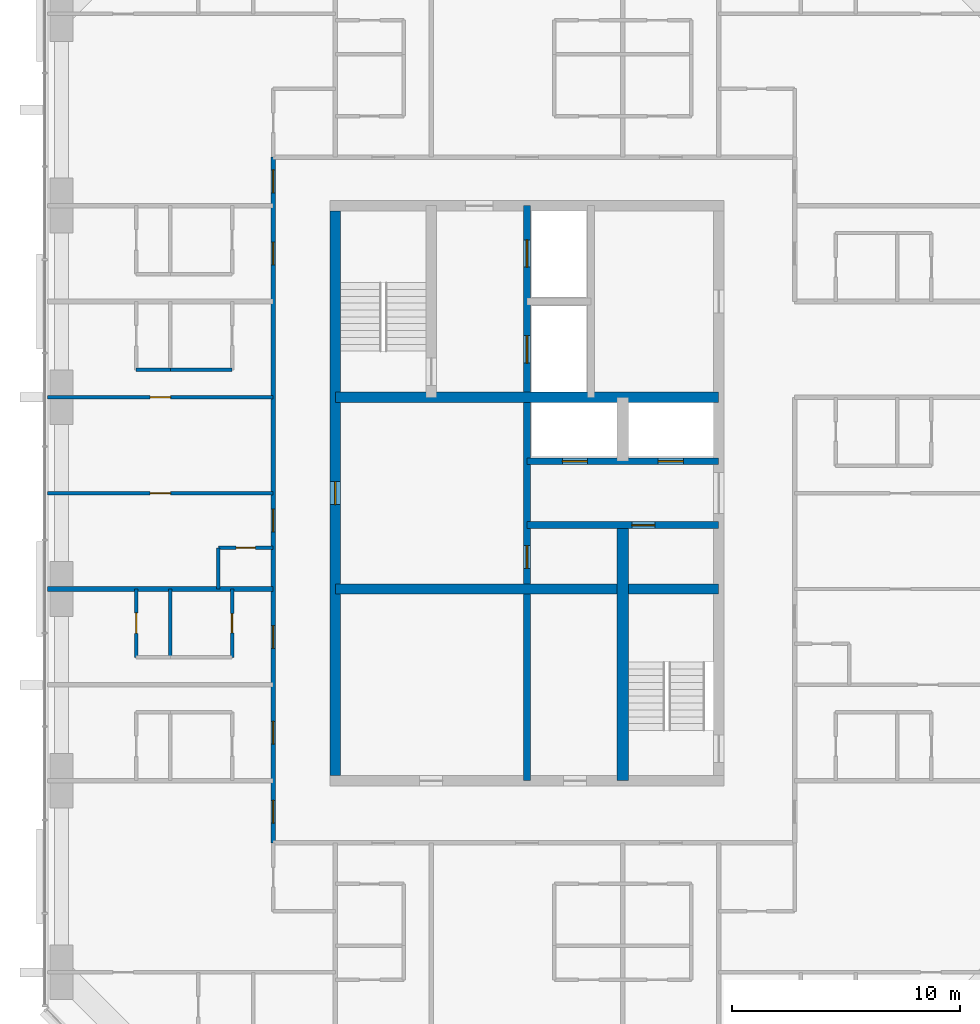
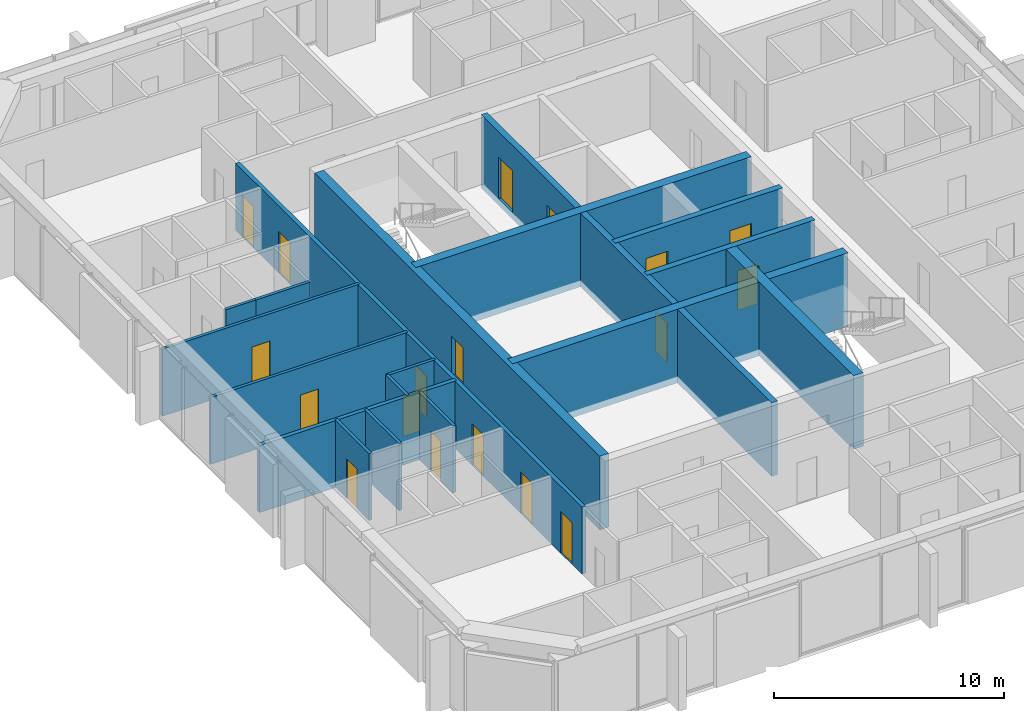
# One storey, part 8 of 12: 18 doors, 18 walls, 18 openings.
"""IFC4 building model written with IfcOpenShell, lengths in metres."""

import ifcopenshell
import ifcopenshell.guid

model = None  # the IFC model being written
_history = None  # IfcOwnerHistory: only IFC2X3 demands one
_inside = {}  # id of a spatial element -> (the spatial element, [elements in it])
_under = {}  # id of a project, library or spatial element -> (it, [spatial elements below it])
_declared = {}  # id of a project -> (the project, [libraries it declares])
_typed = {}  # id of a type object -> (the type object, [elements of that type])
_made_of = {}  # id of a material, layer set ... -> (it, [elements and type objects made of it])


def new_model(schema):
    """Start an empty IFC model of exactly this schema.

    Asked for "IFC4X3", IfcOpenShell would pick the latest addendum, in which some entities
    have other attributes; the version numbers below select the first issue.
    IFC2X3 requires an IfcOwnerHistory on every rooted entity: one is made here for all.
    """
    global model, _history
    if schema == "IFC4X3":
        model = ifcopenshell.file(schema_version=(4, 3, 0, 0))
    else:
        model = ifcopenshell.file(schema=schema)
    _inside.clear()
    _under.clear()
    _declared.clear()
    _typed.clear()
    _made_of.clear()
    _history = None
    if model.schema == "IFC2X3":
        org = make("IfcOrganization", Name="unknown")
        user = make(
            "IfcPersonAndOrganization",
            ThePerson=make("IfcPerson", FamilyName="unknown"),
            TheOrganization=org,
        )
        app = make(
            "IfcApplication",
            ApplicationDeveloper=org,
            Version="unknown",
            ApplicationFullName="unknown",
            ApplicationIdentifier="unknown",
        )
        _history = make(
            "IfcOwnerHistory",
            OwningUser=user,
            OwningApplication=app,
            ChangeAction="ADDED",
            CreationDate=0,
        )
    return model


def make(cls, **values):
    """One entity of the class cls with the attributes given. An attribute that is None is left unset."""
    return model.create_entity(
        cls, **{name: value for name, value in values.items() if value is not None}
    )


def rooted(cls, **values):
    """An entity with a GlobalId (a new one), such as an element, a storey or a relation."""
    return make(cls, GlobalId=ifcopenshell.guid.new(), OwnerHistory=_history, **values)


def si_unit(unit_type, name, prefix=None):
    """IfcSIUnit, for example si_unit("LENGTHUNIT", "METRE", prefix="MILLI")."""
    return make("IfcSIUnit", UnitType=unit_type, Prefix=prefix, Name=name)


def assignment(units):
    """IfcUnitAssignment: the units of a project."""
    return None if units is None else make("IfcUnitAssignment", Units=units)


def point(xyz):
    """IfcCartesianPoint."""
    return None if xyz is None else make("IfcCartesianPoint", Coordinates=xyz)


def direction(xyz):
    """IfcDirection."""
    return None if xyz is None else make("IfcDirection", DirectionRatios=xyz)


def frame(location, z_axis=None, x_axis=None):
    """IfcAxis2Placement3D, a coordinate frame: its origin and axes. An axis left out is left unset."""
    return make(
        "IfcAxis2Placement3D",
        Location=point(location),
        Axis=direction(z_axis),
        RefDirection=direction(x_axis),
    )


def frame_2d(location, x_axis=None):
    """IfcAxis2Placement2D, a coordinate frame in the plane: its origin and x axis."""
    return make(
        "IfcAxis2Placement2D", Location=point(location), RefDirection=direction(x_axis)
    )


def origin():
    """The frame at (0, 0, 0) with its axes left unset."""
    return frame((0.0, 0.0, 0.0))


def place(relative_to, where):
    """IfcLocalPlacement: puts the frame where relative to a parent placement (None: the world)."""
    return make(
        "IfcLocalPlacement", PlacementRelTo=relative_to, RelativePlacement=where
    )


def context(
    kind, dimensions, precision=None, world=None, true_north=None, identifier=None
):
    """IfcGeometricRepresentationContext, for example the 3D "Model" context."""
    return make(
        "IfcGeometricRepresentationContext",
        ContextIdentifier=identifier,
        ContextType=kind,
        CoordinateSpaceDimension=dimensions,
        Precision=precision,
        WorldCoordinateSystem=world,
        TrueNorth=true_north,
    )


def subcontext(parent, identifier, kind, view, scale=None):
    """IfcGeometricRepresentationSubContext, for example "Body" below "Model"."""
    return make(
        "IfcGeometricRepresentationSubContext",
        ContextIdentifier=identifier,
        ContextType=kind,
        ParentContext=parent,
        TargetScale=scale,
        TargetView=view,
    )


def project(units=None, contexts=None):
    """IfcProject with its units and contexts."""
    return rooted(
        "IfcProject",
        Name="project",
        RepresentationContexts=contexts,
        UnitsInContext=assignment(units),
    )


def spatial(cls, under=None, at=None, **own):
    """A site, building, storey or space (cls), placed at a placement, below another one or the project."""
    s = rooted(cls, ObjectPlacement=at, **own)
    if under is not None:
        _under.setdefault(under.id(), (under, []))[1].append(s)
    return s


def profile(cls, at=None, kind="AREA", **sizes):
    """A parametric profile (cls). Its sizes go by their IFC names, for example OverallWidth=200.0."""
    return make(cls, ProfileType=kind, Position=at, **sizes)


def rectangle(**sizes):
    """IfcRectangleProfileDef."""
    return profile("IfcRectangleProfileDef", **sizes)


def extrude(swept, where, along, depth):
    """IfcExtrudedAreaSolid: the profile swept, set in the frame where, extruded along a direction by depth."""
    return make(
        "IfcExtrudedAreaSolid",
        SweptArea=swept,
        Position=where,
        ExtrudedDirection=direction(along),
        Depth=depth,
    )


def shape(context_of_items, identifier, shape_type, items):
    """IfcShapeRepresentation: the items that make up one representation, for example the "Body"."""
    return make(
        "IfcShapeRepresentation",
        ContextOfItems=context_of_items,
        RepresentationIdentifier=identifier,
        RepresentationType=shape_type,
        Items=items,
    )


def material(Name=None, Category=None):
    """IfcMaterial."""
    return make("IfcMaterial", Name=Name, Category=Category)


def layer(
    of_material, thickness, ventilated=None, Name=None, Category=None, Priority=None
):
    """IfcMaterialLayer: one layer of a wall or slab, of a material (None: an air gap)."""
    return make(
        "IfcMaterialLayer",
        Material=of_material,
        LayerThickness=thickness,
        IsVentilated=ventilated,
        Name=Name,
        Category=Category,
        Priority=Priority,
    )


def layer_set(layers, Name=None):
    """IfcMaterialLayerSet."""
    return make("IfcMaterialLayerSet", MaterialLayers=layers, LayerSetName=Name)


def made_of(thing, what):
    """Note that an element or type object is made of a material, layer set ...; save() writes the relation."""
    if what is not None:
        _made_of.setdefault(what.id(), (what, []))[1].append(thing)
    return thing


def type_object(cls, material=None, **own):
    """A type object (cls), such as IfcWallType, which elements share."""
    return made_of(rooted(cls, **own), material)


def element(
    cls,
    number,
    at=None,
    inside=None,
    cuts=None,
    type_object=None,
    material=None,
    context=None,
    identifier="Body",
    shape_type=None,
    held_by="IfcProductDefinitionShape",
    body=None,
    shapes=None,
    **own,
):
    """One element of the class cls, such as IfcWall. Its Tag is "e" and its number.

    at: its placement. inside: the storey or other place that contains it. cuts: it is an
    opening in that element (IfcRelVoidsElement). A single representation is given by context,
    identifier, shape_type and body (its items); several are given by shapes. held_by: the class
    of the entity that holds the representations. save() writes the other relations.
    """
    e = rooted(cls, Tag="e%d" % number, ObjectPlacement=at, **own)
    if body is not None:
        shapes = [shape(context, identifier, shape_type, body)]
    if shapes is not None:
        e.Representation = make(held_by, Representations=shapes)
    if inside is not None:
        _inside.setdefault(inside.id(), (inside, []))[1].append(e)
    if cuts is not None:
        rooted(
            "IfcRelVoidsElement", RelatingBuildingElement=cuts, RelatedOpeningElement=e
        )
    if type_object is not None:
        _typed.setdefault(type_object.id(), (type_object, []))[1].append(e)
    return made_of(e, material)


def fill(opening, filler):
    """IfcRelFillsElement: the door or window that sits in an opening."""
    return rooted(
        "IfcRelFillsElement",
        RelatingOpeningElement=opening,
        RelatedBuildingElement=filler,
    )


def aggregate(whole, parts):
    """IfcRelAggregates: a whole, such as a stair, and the parts it consists of."""
    return rooted("IfcRelAggregates", RelatingObject=whole, RelatedObjects=parts)


def save(model, path):
    """Write the relations noted so far, then the file.

    IfcRelAggregates (storeys below a building ...), IfcRelContainedInSpatialStructure (elements
    in a storey), IfcRelDefinesByType, IfcRelAssociatesMaterial and IfcRelDeclares: one each for
    every whole, place, type object, material and project.
    """
    for whole, parts in _under.values():
        aggregate(whole, parts)
    for where, things in _inside.values():
        rooted(
            "IfcRelContainedInSpatialStructure",
            RelatedElements=things,
            RelatingStructure=where,
        )
    for kind, things in _typed.values():
        rooted("IfcRelDefinesByType", RelatedObjects=things, RelatingType=kind)
    for what, things in _made_of.values():
        rooted("IfcRelAssociatesMaterial", RelatedObjects=things, RelatingMaterial=what)
    for by, libraries in _declared.values():
        rooted("IfcRelDeclares", RelatingContext=by, RelatedDefinitions=libraries)
    model.write(path)


model = new_model("IFC4")

# Units and contexts
model_context = context("Model", 3, precision=1e-05, world=origin(), true_north=direction((0.0, 1.0)))
body_context = subcontext(model_context, "Body", "Model", "MODEL_VIEW")
ifc_project = project(units=[si_unit("LENGTHUNIT", "METRE"), si_unit("AREAUNIT", "SQUARE_METRE"), si_unit("VOLUMEUNIT", "CUBIC_METRE"), si_unit("PLANEANGLEUNIT", "RADIAN"), si_unit("MASSUNIT", "GRAM", prefix="KILO")], contexts=[model_context])

# Site, building, storey
site_placement = place(None, origin())
site = spatial("IfcSite", under=ifc_project, at=site_placement, CompositionType="ELEMENT")
building_placement = place(site_placement, origin())
building = spatial("IfcBuilding", under=site, at=building_placement, Name="Dunama Terrace Hotel", CompositionType="ELEMENT")
storey_placement = place(building_placement, frame((0.0, 0.0, 268.5)))
storey = spatial("IfcBuildingStorey", under=building, at=storey_placement, Name="L69", CompositionType="ELEMENT", Elevation=268.5)

# Wall
ifc_material_1 = material(Name="Gypsum board partition", Category="masonry")
ifc_layer_1 = layer(ifc_material_1, 0.14990234375)
ifc_layer_set_1 = layer_set([ifc_layer_1], Name="Bathroom partition 150")
wall_type_1 = type_object("IfcWallType", Name="Bathroom partition 150", PredefinedType="PARTITIONING", material=ifc_layer_set_1)
wall_1_placement = place(storey_placement, frame((20.074951171875, 25.199951171875, 0.0), z_axis=(0.0, 0.0, 1.0), x_axis=(0.0, 1.0, 0.0)))
element("IfcWall", 1, at=wall_1_placement, inside=storey, type_object=wall_type_1, Name="Bathroom partition 150 L69", PredefinedType="PARTITIONING", context=body_context, shape_type="SweptSolid", body=[
    extrude(rectangle(XDim=1.800048828125, YDim=0.14990234375, at=frame_2d((0.89990234375, 0.0))), origin(), (0.0, 0.0, 1.0), 3.550048828125),
])

# Wall, opening, door
wall_2_placement = place(storey_placement, frame((20.675048828125, 22.199951171875, 0.0), z_axis=(0.0, 0.0, 1.0), x_axis=(0.0, 1.0, 0.0)))
wall_2 = element("IfcWall", 2, at=wall_2_placement, inside=storey, type_object=wall_type_1, Name="Bathroom partition 150 L69", PredefinedType="PARTITIONING", context=body_context, shape_type="SweptSolid", body=[
    extrude(rectangle(XDim=3.0, YDim=0.14990234375, at=frame_2d((1.5, 0.0))), origin(), (0.0, 0.0, 1.0), 3.550048828125),
])
opening_1_placement = place(wall_2_placement, frame((1.074951171875, 0.0, 0.0)))
opening_1 = element("IfcOpeningElement", 3, at=opening_1_placement, cuts=wall_2, Name="Opening L68-70-041", PredefinedType="OPENING", context=body_context, shape_type="SweptSolid", body=[
    extrude(rectangle(XDim=0.85009765625, YDim=2.10009765625, at=frame_2d((0.425048828125, 1.050048828125))), frame((0.0, 0.0849609375, 0.0), z_axis=(0.0, -1.0, 0.0), x_axis=(1.0, 0.0, 0.0)), (0.0, 0.0, 1.0), 0.169921875),
])
ifc_material_2 = material(Name="Timber door with steel frame", Category="steel")
door_type_1 = type_object("IfcDoorType", Name="Bathroom door 850", OperationType="SINGLE_SWING_LEFT", PredefinedType="DOOR", material=ifc_material_2)
door_1_placement = place(opening_1_placement, origin())
door_1 = element("IfcDoor", 4, at=door_1_placement, inside=storey, type_object=door_type_1, Name="Door to en-suite bathroom L68-70-041, type D2", OperationType="SINGLE_SWING_RIGHT", OverallHeight=2.10009765625, OverallWidth=0.85009765625, PredefinedType="DOOR", context=body_context, shape_type="SweptSolid", body=[
    extrude(rectangle(XDim=0.85009765625, YDim=2.10009765625, at=frame_2d((0.425048828125, 1.050048828125))), frame((0.0, 0.02490234375, 0.0), z_axis=(0.0, -1.0, 0.0), x_axis=(1.0, 0.0, 0.0)), (0.0, 0.0, 1.0), 0.050048828125),
])
fill(opening_1, door_1)

wall_3_placement = place(storey_placement, frame((20.074951171875, 27.0, 0.0), z_axis=(0.0, 0.0, 1.0), x_axis=(1.0, 0.0, 0.0)))
wall_3 = element("IfcWall", 5, at=wall_3_placement, inside=storey, type_object=wall_type_1, Name="Bathroom partition 150 L69", PredefinedType="PARTITIONING", context=body_context, shape_type="SweptSolid", body=[
    extrude(rectangle(XDim=2.400146484375, YDim=0.14990234375, at=frame_2d((1.2001953125, 0.0))), origin(), (0.0, 0.0, 1.0), 3.550048828125),
])
opening_2_placement = place(wall_3_placement, frame((0.77490234375, 0.0, 0.0)))
opening_2 = element("IfcOpeningElement", 6, at=opening_2_placement, cuts=wall_3, Name="Opening L68-70-044", PredefinedType="OPENING", context=body_context, shape_type="SweptSolid", body=[
    extrude(rectangle(XDim=0.85009765625, YDim=2.10009765625, at=frame_2d((0.425048828125, 1.050048828125))), frame((0.0, 0.0849609375, 0.0), z_axis=(0.0, -1.0, 0.0), x_axis=(1.0, 0.0, 0.0)), (0.0, 0.0, 1.0), 0.169921875),
])
door_2_placement = place(opening_2_placement, frame((0.85009765625, 0.0, 0.0), z_axis=(0.0, 0.0, 1.0), x_axis=(-1.0, 0.0, 0.0)))
door_2 = element("IfcDoor", 7, at=door_2_placement, inside=storey, type_object=door_type_1, Name="Door to powder room L68-70-044, type D2", OperationType="SINGLE_SWING_LEFT", OverallHeight=2.10009765625, OverallWidth=0.85009765625, PredefinedType="DOOR", context=body_context, shape_type="SweptSolid", body=[
    extrude(rectangle(XDim=0.85009765625, YDim=2.10009765625, at=frame_2d((0.425048828125, 1.050048828125))), frame((0.0, 0.025146484375, 0.0), z_axis=(0.0, -1.0, 0.0), x_axis=(1.0, 0.0, 0.0)), (0.0, 0.0, 1.0), 0.050048828125),
])
fill(opening_2, door_2)

# Wall
wall_4_placement = place(storey_placement, frame((17.97509765625, 34.800048828125, 0.0), z_axis=(0.0, 0.0, 1.0), x_axis=(1.0, 0.0, 0.0)))
element("IfcWall", 8, at=wall_4_placement, inside=storey, type_object=wall_type_1, Name="Bathroom partition 150 L69", PredefinedType="PARTITIONING", context=body_context, shape_type="SweptSolid", body=[
    extrude(rectangle(XDim=2.699951171875, YDim=0.14990234375, at=frame_2d((1.35009765625, 0.0))), origin(), (0.0, 0.0, 1.0), 3.550048828125),
])

# Wall, openings, doors
ifc_material_3 = material(Name="Concrete C50/60", Category="concrete")
ifc_layer_2 = layer(ifc_material_3, 0.300048828125)
ifc_layer_set_2 = layer_set([ifc_layer_2], Name="Core inner wall 300")
wall_type_2 = type_object("IfcWallType", Name="Core inner wall 300", PredefinedType="SHEAR", material=ifc_layer_set_2)
wall_5_placement = place(storey_placement, frame((33.60009765625, 16.800048828125, -0.35009765625), z_axis=(0.0, 0.0, 1.0), x_axis=(0.0, 1.0, 0.0)))
wall_5 = element("IfcWall", 9, at=wall_5_placement, inside=storey, type_object=wall_type_2, Name="Core inner wall 300 L69", PredefinedType="SHEAR", context=body_context, shape_type="SweptSolid", body=[
    extrude(rectangle(XDim=25.199951171875, YDim=0.300048828125, at=frame_2d((12.60009765625, 0.0))), origin(), (0.0, 0.0, 1.0), 3.900146484375),
])
opening_3_placement = place(wall_5_placement, frame((22.5, 0.0, 0.35009765625)))
opening_3 = element("IfcOpeningElement", 10, at=opening_3_placement, cuts=wall_5, Name="Opening L68-70-005", PredefinedType="OPENING", context=body_context, shape_type="SweptSolid", body=[
    extrude(rectangle(XDim=1.199951171875, YDim=2.199951171875, at=frame_2d((0.60009765625, 1.10009765625))), frame((0.0, 0.159912109375, 0.0), z_axis=(0.0, -1.0, 0.0), x_axis=(1.0, 0.0, 0.0)), (0.0, 0.0, 1.0), 0.320068359375),
])
opening_4_placement = place(wall_5_placement, frame((18.300048828125, 0.0, 0.35009765625)))
opening_4 = element("IfcOpeningElement", 11, at=opening_4_placement, cuts=wall_5, Name="Opening L68-70-006", PredefinedType="OPENING", context=body_context, shape_type="SweptSolid", body=[
    extrude(rectangle(XDim=1.199951171875, YDim=2.199951171875, at=frame_2d((0.60009765625, 1.10009765625))), frame((0.0, 0.159912109375, 0.0), z_axis=(0.0, -1.0, 0.0), x_axis=(1.0, 0.0, 0.0)), (0.0, 0.0, 1.0), 0.320068359375),
])
opening_5_placement = place(wall_5_placement, frame((9.300048828125, 0.0, 0.35009765625)))
opening_5 = element("IfcOpeningElement", 12, at=opening_5_placement, cuts=wall_5, Name="Opening L68-70-073", PredefinedType="OPENING", context=body_context, shape_type="SweptSolid", body=[
    extrude(rectangle(XDim=1.0, YDim=2.10009765625, at=frame_2d((0.5, 1.050048828125))), frame((0.0, 0.159912109375, 0.0), z_axis=(0.0, -1.0, 0.0), x_axis=(1.0, 0.0, 0.0)), (0.0, 0.0, 1.0), 0.320068359375),
])
ifc_material_4 = material(Name="Stainless steel lift door", Category="steel")
door_type_2 = type_object("IfcDoorType", Name="Firefighting lift landing door 1200", OperationType="DOUBLE_DOOR_SLIDING", PredefinedType="DOOR", material=ifc_material_4)
door_3_placement = place(opening_3_placement, origin())
door_3 = element("IfcDoor", 13, at=door_3_placement, inside=storey, type_object=door_type_2, Name="Landing door FL1 L68-70-005, type LD2", OperationType="DOUBLE_DOOR_SLIDING", OverallHeight=2.199951171875, OverallWidth=1.199951171875, PredefinedType="DOOR", context=body_context, shape_type="SweptSolid", body=[
    extrude(rectangle(XDim=1.199951171875, YDim=2.199951171875, at=frame_2d((0.60009765625, 1.10009765625))), frame((0.0, 0.02490234375, 0.0), z_axis=(0.0, -1.0, 0.0), x_axis=(1.0, 0.0, 0.0)), (0.0, 0.0, 1.0), 0.050048828125),
])
fill(opening_3, door_3)
door_4_placement = place(opening_4_placement, origin())
door_4 = element("IfcDoor", 14, at=door_4_placement, inside=storey, type_object=door_type_2, Name="Landing door FL2 L68-70-006, type LD2", OperationType="DOUBLE_DOOR_SLIDING", OverallHeight=2.199951171875, OverallWidth=1.199951171875, PredefinedType="DOOR", context=body_context, shape_type="SweptSolid", body=[
    extrude(rectangle(XDim=1.199951171875, YDim=2.199951171875, at=frame_2d((0.60009765625, 1.10009765625))), frame((0.0, 0.02490234375, 0.0), z_axis=(0.0, -1.0, 0.0), x_axis=(1.0, 0.0, 0.0)), (0.0, 0.0, 1.0), 0.050048828125),
])
fill(opening_4, door_4)
ifc_material_5 = material(Name="Timber door with steel frame", Category="steel")
door_type_3 = type_object("IfcDoorType", Name="Service door 1000", OperationType="SINGLE_SWING_LEFT", PredefinedType="DOOR", material=ifc_material_5)
door_5_placement = place(opening_5_placement, frame((1.0, 0.0, 0.0), z_axis=(0.0, 0.0, 1.0), x_axis=(-1.0, 0.0, 0.0)))
door_5 = element("IfcDoor", 15, at=door_5_placement, inside=storey, type_object=door_type_3, Name="Door to service riser L68-70-073, type D7", OperationType="SINGLE_SWING_RIGHT", OverallHeight=2.10009765625, OverallWidth=1.0, PredefinedType="DOOR", context=body_context, shape_type="SweptSolid", body=[
    extrude(rectangle(XDim=1.0, YDim=2.10009765625, at=frame_2d((0.5, 1.050048828125))), frame((0.0, 0.025146484375, 0.0), z_axis=(0.0, -1.0, 0.0), x_axis=(1.0, 0.0, 0.0)), (0.0, 0.0, 1.0), 0.050048828125),
])
fill(opening_5, door_5)

# Wall, opening, door
wall_6_placement = place(storey_placement, frame((33.60009765625, 28.0, -0.35009765625), z_axis=(0.0, 0.0, 1.0), x_axis=(1.0, 0.0, 0.0)))
wall_6 = element("IfcWall", 16, at=wall_6_placement, inside=storey, type_object=wall_type_2, Name="Core inner wall 300 L69", PredefinedType="SHEAR", context=body_context, shape_type="SweptSolid", body=[
    extrude(rectangle(XDim=8.39990234375, YDim=0.300048828125, at=frame_2d((4.199951171875, 0.0))), origin(), (0.0, 0.0, 1.0), 3.900146484375),
])
opening_6_placement = place(wall_6_placement, frame((4.60009765625, 0.0, 0.35009765625)))
opening_6 = element("IfcOpeningElement", 17, at=opening_6_placement, cuts=wall_6, Name="Opening L68-70-074", PredefinedType="OPENING", context=body_context, shape_type="SweptSolid", body=[
    extrude(rectangle(XDim=1.0, YDim=2.10009765625, at=frame_2d((0.5, 1.050048828125))), frame((0.0, 0.159912109375, 0.0), z_axis=(0.0, -1.0, 0.0), x_axis=(1.0, 0.0, 0.0)), (0.0, 0.0, 1.0), 0.320068359375),
])
door_6_placement = place(opening_6_placement, frame((1.0, 0.0, 0.0), z_axis=(0.0, 0.0, 1.0), x_axis=(-1.0, 0.0, 0.0)))
door_6 = element("IfcDoor", 18, at=door_6_placement, inside=storey, type_object=door_type_3, Name="Door to guest pantry L68-70-074, type D7", OperationType="SINGLE_SWING_RIGHT", OverallHeight=2.10009765625, OverallWidth=1.0, PredefinedType="DOOR", context=body_context, shape_type="SweptSolid", body=[
    extrude(rectangle(XDim=1.0, YDim=2.10009765625, at=frame_2d((0.5, 1.050048828125))), frame((0.0, 0.025146484375, 0.0), z_axis=(0.0, -1.0, 0.0), x_axis=(1.0, 0.0, 0.0)), (0.0, 0.0, 1.0), 0.050048828125),
])
fill(opening_6, door_6)

# Wall, openings, doors
wall_7_placement = place(storey_placement, frame((33.60009765625, 30.800048828125, -0.35009765625), z_axis=(0.0, 0.0, 1.0), x_axis=(1.0, 0.0, 0.0)))
wall_7 = element("IfcWall", 19, at=wall_7_placement, inside=storey, type_object=wall_type_2, Name="Core inner wall 300 L69", PredefinedType="SHEAR", context=body_context, shape_type="SweptSolid", body=[
    extrude(rectangle(XDim=8.39990234375, YDim=0.300048828125, at=frame_2d((4.199951171875, 0.0))), origin(), (0.0, 0.0, 1.0), 3.900146484375),
])
opening_7_placement = place(wall_7_placement, frame((1.550048828125, 0.0, 0.35009765625)))
opening_7 = element("IfcOpeningElement", 20, at=opening_7_placement, cuts=wall_7, Name="Opening L68-70-003", PredefinedType="OPENING", context=body_context, shape_type="SweptSolid", body=[
    extrude(rectangle(XDim=1.10009765625, YDim=2.199951171875, at=frame_2d((0.550048828125, 1.10009765625))), frame((0.0, 0.159912109375, 0.0), z_axis=(0.0, -1.0, 0.0), x_axis=(1.0, 0.0, 0.0)), (0.0, 0.0, 1.0), 0.320068359375),
])
opening_8_placement = place(wall_7_placement, frame((5.75, 0.0, 0.35009765625)))
opening_8 = element("IfcOpeningElement", 21, at=opening_8_placement, cuts=wall_7, Name="Opening L68-70-004", PredefinedType="OPENING", context=body_context, shape_type="SweptSolid", body=[
    extrude(rectangle(XDim=1.10009765625, YDim=2.199951171875, at=frame_2d((0.550048828125, 1.10009765625))), frame((0.0, 0.159912109375, 0.0), z_axis=(0.0, -1.0, 0.0), x_axis=(1.0, 0.0, 0.0)), (0.0, 0.0, 1.0), 0.320068359375),
])
ifc_material_6 = material(Name="Stainless steel lift door", Category="steel")
door_type_4 = type_object("IfcDoorType", Name="Lift landing door 1100", OperationType="DOUBLE_DOOR_SLIDING", PredefinedType="DOOR", material=ifc_material_6)
door_7_placement = place(opening_7_placement, origin())
door_7 = element("IfcDoor", 22, at=door_7_placement, inside=storey, type_object=door_type_4, Name="Landing door PD1 L68-70-003, type LD1", OperationType="DOUBLE_DOOR_SLIDING", OverallHeight=2.199951171875, OverallWidth=1.10009765625, PredefinedType="DOOR", context=body_context, shape_type="SweptSolid", body=[
    extrude(rectangle(XDim=1.10009765625, YDim=2.199951171875, at=frame_2d((0.550048828125, 1.10009765625))), frame((0.0, 0.02490234375, 0.0), z_axis=(0.0, -1.0, 0.0), x_axis=(1.0, 0.0, 0.0)), (0.0, 0.0, 1.0), 0.050048828125),
])
fill(opening_7, door_7)
door_8_placement = place(opening_8_placement, origin())
door_8 = element("IfcDoor", 23, at=door_8_placement, inside=storey, type_object=door_type_4, Name="Landing door PD2 L68-70-004, type LD1", OperationType="DOUBLE_DOOR_SLIDING", OverallHeight=2.199951171875, OverallWidth=1.10009765625, PredefinedType="DOOR", context=body_context, shape_type="SweptSolid", body=[
    extrude(rectangle(XDim=1.10009765625, YDim=2.199951171875, at=frame_2d((0.550048828125, 1.10009765625))), frame((0.0, 0.02490234375, 0.0), z_axis=(0.0, -1.0, 0.0), x_axis=(1.0, 0.0, 0.0)), (0.0, 0.0, 1.0), 0.050048828125),
])
fill(opening_8, door_8)

# Walls
ifc_material_7 = material(Name="Concrete C50/60", Category="concrete")
ifc_layer_3 = layer(ifc_material_7, 0.449951171875)
ifc_layer_set_3 = layer_set([ifc_layer_3], Name="Core inner wall 450")
wall_type_3 = type_object("IfcWallType", Name="Core inner wall 450", PredefinedType="SHEAR", material=ifc_layer_set_3)
for number, where, z_axis, x_axis, name in (
    (24, (25.199951171875, 25.199951171875, -0.35009765625), (0.0, 0.0, 1.0), (1.0, 0.0, 0.0), "Core inner wall 450 L69"),
    (25, (25.199951171875, 33.60009765625, -0.35009765625), (0.0, 0.0, 1.0), (1.0, 0.0, 0.0), "Core inner wall 450 L69"),
):
    element("IfcWall", number, at=place(storey_placement, frame(where, z_axis=z_axis, x_axis=x_axis)), inside=storey, type_object=wall_type_3, Name=name, PredefinedType="SHEAR", context=body_context, shape_type="SweptSolid", body=[
        extrude(rectangle(XDim=16.800048828125, YDim=0.449951171875, at=frame_2d((8.39990234375, 0.0))), origin(), (0.0, 0.0, 1.0), 3.900146484375),
    ])
ifc_material_8 = material(Name="Concrete C50/60", Category="concrete")
ifc_layer_4 = layer(ifc_material_8, 0.5)
ifc_layer_set_4 = layer_set([ifc_layer_4], Name="Core inner wall 500")
wall_type_4 = type_object("IfcWallType", Name="Core inner wall 500", PredefinedType="SHEAR", material=ifc_layer_set_4)
wall_8_placement = place(storey_placement, frame((37.800048828125, 16.800048828125, -0.35009765625), z_axis=(0.0, 0.0, 1.0), x_axis=(0.0, 1.0, 0.0)))
element("IfcWall", 26, at=wall_8_placement, inside=storey, type_object=wall_type_4, Name="Core inner wall 500 L69", PredefinedType="SHEAR", context=body_context, shape_type="SweptSolid", body=[
    extrude(rectangle(XDim=11.199951171875, YDim=0.5, at=frame_2d((5.60009765625, 0.0))), origin(), (0.0, 0.0, 1.0), 3.900146484375),
])

# Wall, opening, door
ifc_material_9 = material(Name="Concrete C50/60", Category="concrete")
ifc_layer_5 = layer(ifc_material_9, 0.449951171875)
ifc_layer_set_5 = layer_set([ifc_layer_5], Name="Core wall 450")
wall_type_5 = type_object("IfcWallType", Name="Core wall 450", PredefinedType="SHEAR", material=ifc_layer_set_5)
wall_9_placement = place(storey_placement, frame((25.199951171875, 41.77490234375, -0.35009765625), z_axis=(0.0, 0.0, 1.0), x_axis=(0.0, -1.0, 0.0)))
wall_9 = element("IfcWall", 27, at=wall_9_placement, inside=storey, type_object=wall_type_5, Name="Core wall west L69", PredefinedType="SHEAR", context=body_context, shape_type="SweptSolid", body=[
    extrude(rectangle(XDim=24.75, YDim=0.449951171875, at=frame_2d((12.375, 0.0))), origin(), (0.0, 0.0, 1.0), 3.900146484375),
])
opening_9_placement = place(wall_9_placement, frame((11.875, 0.0, 0.35009765625)))
opening_9 = element("IfcOpeningElement", 28, at=opening_9_placement, cuts=wall_9, Name="Opening L68-70-072", PredefinedType="OPENING", context=body_context, shape_type="SweptSolid", body=[
    extrude(rectangle(XDim=1.0, YDim=2.10009765625, at=frame_2d((0.5, 1.050048828125))), frame((0.0, 0.23486328125, 0.0), z_axis=(0.0, -1.0, 0.0), x_axis=(1.0, 0.0, 0.0)), (0.0, 0.0, 1.0), 0.469970703125),
])
door_9_placement = place(opening_9_placement, origin())
door_9 = element("IfcDoor", 29, at=door_9_placement, inside=storey, type_object=door_type_3, Name="Door to riser room L68-70-072, type D7", OperationType="SINGLE_SWING_LEFT", OverallHeight=2.10009765625, OverallWidth=1.0, PredefinedType="DOOR", context=body_context, shape_type="SweptSolid", body=[
    extrude(rectangle(XDim=1.0, YDim=2.10009765625, at=frame_2d((0.5, 1.050048828125))), frame((0.0, 0.02490234375, 0.0), z_axis=(0.0, -1.0, 0.0), x_axis=(1.0, 0.0, 0.0)), (0.0, 0.0, 1.0), 0.050048828125),
])
fill(opening_9, door_9)

# Wall, openings, doors
ifc_material_10 = material(Name="Concrete blockwork", Category="masonry")
ifc_layer_6 = layer(ifc_material_10, 0.199951171875)
ifc_layer_set_6 = layer_set([ifc_layer_6], Name="Corridor partition 200")
wall_type_6 = type_object("IfcWallType", Name="Corridor partition 200", PredefinedType="PARTITIONING", material=ifc_layer_set_6)
wall_10_placement = place(storey_placement, frame((22.47509765625, 14.074951171875, 0.0), z_axis=(0.0, 0.0, 1.0), x_axis=(0.0, 1.0, 0.0)))
wall_10 = element("IfcWall", 30, at=wall_10_placement, inside=storey, type_object=wall_type_6, Name="Corridor partition 200 L69", PredefinedType="PARTITIONING", context=body_context, shape_type="SweptSolid", body=[
    extrude(rectangle(XDim=30.050048828125, YDim=0.199951171875, at=frame_2d((15.02490234375, 0.0))), origin(), (0.0, 0.0, 1.0), 3.550048828125),
])
opening_10_placement = place(wall_10_placement, frame((4.324951171875, 0.0, 0.0)))
opening_10 = element("IfcOpeningElement", 31, at=opening_10_placement, cuts=wall_10, Name="Opening L68-70-037", PredefinedType="OPENING", context=body_context, shape_type="SweptSolid", body=[
    extrude(rectangle(XDim=1.0, YDim=2.199951171875, at=frame_2d((0.5, 1.10009765625))), frame((0.0, 0.10986328125, 0.0), z_axis=(0.0, -1.0, 0.0), x_axis=(1.0, 0.0, 0.0)), (0.0, 0.0, 1.0), 0.219970703125),
])
opening_11_placement = place(wall_10_placement, frame((8.52490234375, 0.0, 0.0)))
opening_11 = element("IfcOpeningElement", 32, at=opening_11_placement, cuts=wall_10, Name="Opening L68-70-040", PredefinedType="OPENING", context=body_context, shape_type="SweptSolid", body=[
    extrude(rectangle(XDim=1.0, YDim=2.199951171875, at=frame_2d((0.5, 1.10009765625))), frame((0.0, 0.10986328125, 0.0), z_axis=(0.0, -1.0, 0.0), x_axis=(1.0, 0.0, 0.0)), (0.0, 0.0, 1.0), 0.219970703125),
])
opening_12_placement = place(wall_10_placement, frame((13.625, 0.0, 0.0)))
opening_12 = element("IfcOpeningElement", 33, at=opening_12_placement, cuts=wall_10, Name="Opening L68-70-043", PredefinedType="OPENING", context=body_context, shape_type="SweptSolid", body=[
    extrude(rectangle(XDim=1.0, YDim=2.199951171875, at=frame_2d((0.5, 1.10009765625))), frame((0.0, 0.10986328125, 0.0), z_axis=(0.0, -1.0, 0.0), x_axis=(1.0, 0.0, 0.0)), (0.0, 0.0, 1.0), 0.219970703125),
])
opening_13_placement = place(wall_10_placement, frame((25.324951171875, 0.0, 0.0)))
opening_13 = element("IfcOpeningElement", 34, at=opening_13_placement, cuts=wall_10, Name="Opening L68-70-049", PredefinedType="OPENING", context=body_context, shape_type="SweptSolid", body=[
    extrude(rectangle(XDim=1.0, YDim=2.199951171875, at=frame_2d((0.5, 1.10009765625))), frame((0.0, 0.10986328125, 0.0), z_axis=(0.0, -1.0, 0.0), x_axis=(1.0, 0.0, 0.0)), (0.0, 0.0, 1.0), 0.219970703125),
])
opening_14_placement = place(wall_10_placement, frame((0.863037109375, 0.0, 0.0)))
opening_14 = element("IfcOpeningElement", 35, at=opening_14_placement, cuts=wall_10, Name="Opening L68-70-052", PredefinedType="OPENING", context=body_context, shape_type="SweptSolid", body=[
    extrude(rectangle(XDim=1.0, YDim=2.199951171875, at=frame_2d((0.5, 1.10009765625))), frame((0.0, 0.10986328125, 0.0), z_axis=(0.0, -1.0, 0.0), x_axis=(1.0, 0.0, 0.0)), (0.0, 0.0, 1.0), 0.219970703125),
])
opening_15_placement = place(wall_10_placement, frame((28.487060546875, 0.0, 0.0)))
opening_15 = element("IfcOpeningElement", 36, at=opening_15_placement, cuts=wall_10, Name="Opening L68-70-067", PredefinedType="OPENING", context=body_context, shape_type="SweptSolid", body=[
    extrude(rectangle(XDim=1.0, YDim=2.199951171875, at=frame_2d((0.5, 1.10009765625))), frame((0.0, 0.10986328125, 0.0), z_axis=(0.0, -1.0, 0.0), x_axis=(1.0, 0.0, 0.0)), (0.0, 0.0, 1.0), 0.219970703125),
])
ifc_material_11 = material(Name="Timber door with steel frame", Category="steel")
door_type_5 = type_object("IfcDoorType", Name="Guest room door 1000", OperationType="SINGLE_SWING_LEFT", PredefinedType="DOOR", material=ifc_material_11)
door_10_placement = place(opening_10_placement, origin())
door_10 = element("IfcDoor", 37, at=door_10_placement, inside=storey, type_object=door_type_5, Name="Door to studio suite L68-70-037, type D1", OperationType="SINGLE_SWING_LEFT", OverallHeight=2.199951171875, OverallWidth=1.0, PredefinedType="DOOR", context=body_context, shape_type="SweptSolid", body=[
    extrude(rectangle(XDim=1.0, YDim=2.199951171875, at=frame_2d((0.5, 1.10009765625))), frame((0.0, 0.02490234375, 0.0), z_axis=(0.0, -1.0, 0.0), x_axis=(1.0, 0.0, 0.0)), (0.0, 0.0, 1.0), 0.050048828125),
])
fill(opening_10, door_10)
door_11_placement = place(opening_11_placement, origin())
door_11 = element("IfcDoor", 38, at=door_11_placement, inside=storey, type_object=door_type_5, Name="Door to studio suite L68-70-040, type D1", OperationType="SINGLE_SWING_LEFT", OverallHeight=2.199951171875, OverallWidth=1.0, PredefinedType="DOOR", context=body_context, shape_type="SweptSolid", body=[
    extrude(rectangle(XDim=1.0, YDim=2.199951171875, at=frame_2d((0.5, 1.10009765625))), frame((0.0, 0.02490234375, 0.0), z_axis=(0.0, -1.0, 0.0), x_axis=(1.0, 0.0, 0.0)), (0.0, 0.0, 1.0), 0.050048828125),
])
fill(opening_11, door_11)
door_12_placement = place(opening_12_placement, origin())
door_12 = element("IfcDoor", 39, at=door_12_placement, inside=storey, type_object=door_type_5, Name="Door to ambassador suite living room L68-70-043, type D1", OperationType="SINGLE_SWING_LEFT", OverallHeight=2.199951171875, OverallWidth=1.0, PredefinedType="DOOR", context=body_context, shape_type="SweptSolid", body=[
    extrude(rectangle(XDim=1.0, YDim=2.199951171875, at=frame_2d((0.5, 1.10009765625))), frame((0.0, 0.02490234375, 0.0), z_axis=(0.0, -1.0, 0.0), x_axis=(1.0, 0.0, 0.0)), (0.0, 0.0, 1.0), 0.050048828125),
])
fill(opening_12, door_12)
door_13_placement = place(opening_13_placement, origin())
door_13 = element("IfcDoor", 40, at=door_13_placement, inside=storey, type_object=door_type_5, Name="Door to studio suite L68-70-049, type D1", OperationType="SINGLE_SWING_LEFT", OverallHeight=2.199951171875, OverallWidth=1.0, PredefinedType="DOOR", context=body_context, shape_type="SweptSolid", body=[
    extrude(rectangle(XDim=1.0, YDim=2.199951171875, at=frame_2d((0.5, 1.10009765625))), frame((0.0, 0.02490234375, 0.0), z_axis=(0.0, -1.0, 0.0), x_axis=(1.0, 0.0, 0.0)), (0.0, 0.0, 1.0), 0.050048828125),
])
fill(opening_13, door_13)
door_14_placement = place(opening_14_placement, origin())
door_14 = element("IfcDoor", 41, at=door_14_placement, inside=storey, type_object=door_type_5, Name="Door to grand corner suite living room L68-70-052, type D1", OperationType="SINGLE_SWING_RIGHT", OverallHeight=2.199951171875, OverallWidth=1.0, PredefinedType="DOOR", context=body_context, shape_type="SweptSolid", body=[
    extrude(rectangle(XDim=1.0, YDim=2.199951171875, at=frame_2d((0.5, 1.10009765625))), frame((0.0, 0.02490234375, 0.0), z_axis=(0.0, -1.0, 0.0), x_axis=(1.0, 0.0, 0.0)), (0.0, 0.0, 1.0), 0.050048828125),
])
fill(opening_14, door_14)
door_15_placement = place(opening_15_placement, origin())
door_15 = element("IfcDoor", 42, at=door_15_placement, inside=storey, type_object=door_type_5, Name="Door to grand corner suite living room L68-70-067, type D1", OperationType="SINGLE_SWING_LEFT", OverallHeight=2.199951171875, OverallWidth=1.0, PredefinedType="DOOR", context=body_context, shape_type="SweptSolid", body=[
    extrude(rectangle(XDim=1.0, YDim=2.199951171875, at=frame_2d((0.5, 1.10009765625))), frame((0.0, 0.02490234375, 0.0), z_axis=(0.0, -1.0, 0.0), x_axis=(1.0, 0.0, 0.0)), (0.0, 0.0, 1.0), 0.050048828125),
])
fill(opening_15, door_15)

# Wall
ifc_material_12 = material(Name="Concrete blockwork", Category="masonry")
ifc_layer_7 = layer(ifc_material_12, 0.199951171875)
ifc_layer_set_7 = layer_set([ifc_layer_7], Name="Party wall 200")
wall_type_7 = type_object("IfcWallType", Name="Party wall 200", PredefinedType="PARTITIONING", material=ifc_layer_set_7)
wall_11_placement = place(storey_placement, frame((12.58203125, 25.199951171875, 0.0), z_axis=(0.0, 0.0, 1.0), x_axis=(1.0, 0.0, 0.0)))
element("IfcWall", 43, at=wall_11_placement, inside=storey, type_object=wall_type_7, Name="Party wall 200 L69", PredefinedType="PARTITIONING", context=body_context, shape_type="SweptSolid", body=[
    extrude(rectangle(XDim=9.89306640625, YDim=0.199951171875, at=frame_2d((4.946533203125, 0.0))), origin(), (0.0, 0.0, 1.0), 3.550048828125),
])

# Wall, opening, door
ifc_material_13 = material(Name="Gypsum board partition", Category="masonry")
ifc_layer_8 = layer(ifc_material_13, 0.14990234375)
ifc_layer_set_8 = layer_set([ifc_layer_8], Name="Room partition 150")
wall_type_8 = type_object("IfcWallType", Name="Room partition 150", PredefinedType="PARTITIONING", material=ifc_layer_set_8)
wall_12_placement = place(storey_placement, frame((16.47509765625, 22.199951171875, 0.0), z_axis=(0.0, 0.0, 1.0), x_axis=(0.0, 1.0, 0.0)))
wall_12 = element("IfcWall", 44, at=wall_12_placement, inside=storey, type_object=wall_type_8, Name="Room partition 150 L69", PredefinedType="PARTITIONING", context=body_context, shape_type="SweptSolid", body=[
    extrude(rectangle(XDim=3.0, YDim=0.14990234375, at=frame_2d((1.5, 0.0))), origin(), (0.0, 0.0, 1.0), 3.550048828125),
])
opening_16_placement = place(wall_12_placement, frame((1.050048828125, 0.0, 0.0)))
opening_16 = element("IfcOpeningElement", 45, at=opening_16_placement, cuts=wall_12, Name="Opening L68-70-042", PredefinedType="OPENING", context=body_context, shape_type="SweptSolid", body=[
    extrude(rectangle(XDim=0.89990234375, YDim=2.10009765625, at=frame_2d((0.449951171875, 1.050048828125))), frame((0.0, 0.0849609375, 0.0), z_axis=(0.0, -1.0, 0.0), x_axis=(1.0, 0.0, 0.0)), (0.0, 0.0, 1.0), 0.169921875),
])
ifc_material_14 = material(Name="Timber door with steel frame", Category="steel")
door_type_6 = type_object("IfcDoorType", Name="Suite internal door 900", OperationType="SINGLE_SWING_LEFT", PredefinedType="DOOR", material=ifc_material_14)
door_16_placement = place(opening_16_placement, frame((0.89990234375, 0.0, 0.0), z_axis=(0.0, 0.0, 1.0), x_axis=(-1.0, 0.0, 0.0)))
door_16 = element("IfcDoor", 46, at=door_16_placement, inside=storey, type_object=door_type_6, Name="Door to walk-in wardrobe L68-70-042, type D16", OperationType="SINGLE_SWING_RIGHT", OverallHeight=2.10009765625, OverallWidth=0.89990234375, PredefinedType="DOOR", context=body_context, shape_type="SweptSolid", body=[
    extrude(rectangle(XDim=0.89990234375, YDim=2.10009765625, at=frame_2d((0.449951171875, 1.050048828125))), frame((0.0, 0.025146484375, 0.0), z_axis=(0.0, -1.0, 0.0), x_axis=(1.0, 0.0, 0.0)), (0.0, 0.0, 1.0), 0.050048828125),
])
fill(opening_16, door_16)

# Wall
wall_13_placement = place(storey_placement, frame((17.97509765625, 22.199951171875, 0.0), z_axis=(0.0, 0.0, 1.0), x_axis=(0.0, 1.0, 0.0)))
element("IfcWall", 47, at=wall_13_placement, inside=storey, type_object=wall_type_8, Name="Room partition 150 L69", PredefinedType="PARTITIONING", context=body_context, shape_type="SweptSolid", body=[
    extrude(rectangle(XDim=3.0, YDim=0.14990234375, at=frame_2d((1.5, 0.0))), origin(), (0.0, 0.0, 1.0), 3.550048828125),
])

# Wall, opening, door
wall_14_placement = place(storey_placement, frame((12.58203125, 29.39990234375, 0.0), z_axis=(0.0, 0.0, 1.0), x_axis=(1.0, 0.0, 0.0)))
wall_14 = element("IfcWall", 48, at=wall_14_placement, inside=storey, type_object=wall_type_8, Name="Room partition 150 L69", PredefinedType="PARTITIONING", context=body_context, shape_type="SweptSolid", body=[
    extrude(rectangle(XDim=9.89306640625, YDim=0.14990234375, at=frame_2d((4.946533203125, 0.0))), origin(), (0.0, 0.0, 1.0), 3.550048828125),
])
opening_17_placement = place(wall_14_placement, frame((4.506103515625, 0.0, 0.0)))
opening_17 = element("IfcOpeningElement", 49, at=opening_17_placement, cuts=wall_14, Name="Opening L68-70-045", PredefinedType="OPENING", context=body_context, shape_type="SweptSolid", body=[
    extrude(rectangle(XDim=0.89990234375, YDim=2.10009765625, at=frame_2d((0.449951171875, 1.050048828125))), frame((0.0, 0.0849609375, 0.0), z_axis=(0.0, -1.0, 0.0), x_axis=(1.0, 0.0, 0.0)), (0.0, 0.0, 1.0), 0.169921875),
])
door_17_placement = place(opening_17_placement, frame((0.89990234375, 0.0, 0.0), z_axis=(0.0, 0.0, 1.0), x_axis=(-1.0, 0.0, 0.0)))
door_17 = element("IfcDoor", 50, at=door_17_placement, inside=storey, type_object=door_type_6, Name="Door to ambassador suite study L68-70-045, type D16", OperationType="SINGLE_SWING_LEFT", OverallHeight=2.10009765625, OverallWidth=0.89990234375, PredefinedType="DOOR", context=body_context, shape_type="SweptSolid", body=[
    extrude(rectangle(XDim=0.89990234375, YDim=2.10009765625, at=frame_2d((0.449951171875, 1.050048828125))), frame((0.0, 0.025146484375, 0.0), z_axis=(0.0, -1.0, 0.0), x_axis=(1.0, 0.0, 0.0)), (0.0, 0.0, 1.0), 0.050048828125),
])
fill(opening_17, door_17)

wall_15_placement = place(storey_placement, frame((12.58203125, 33.60009765625, 0.0), z_axis=(0.0, 0.0, 1.0), x_axis=(1.0, 0.0, 0.0)))
wall_15 = element("IfcWall", 51, at=wall_15_placement, inside=storey, type_object=wall_type_8, Name="Room partition 150 L69", PredefinedType="PARTITIONING", context=body_context, shape_type="SweptSolid", body=[
    extrude(rectangle(XDim=9.89306640625, YDim=0.14990234375, at=frame_2d((4.946533203125, 0.0))), origin(), (0.0, 0.0, 1.0), 3.550048828125),
])
opening_18_placement = place(wall_15_placement, frame((4.506103515625, 0.0, 0.0)))
opening_18 = element("IfcOpeningElement", 52, at=opening_18_placement, cuts=wall_15, Name="Opening L68-70-046", PredefinedType="OPENING", context=body_context, shape_type="SweptSolid", body=[
    extrude(rectangle(XDim=0.89990234375, YDim=2.10009765625, at=frame_2d((0.449951171875, 1.050048828125))), frame((0.0, 0.0849609375, 0.0), z_axis=(0.0, -1.0, 0.0), x_axis=(1.0, 0.0, 0.0)), (0.0, 0.0, 1.0), 0.169921875),
])
door_18_placement = place(opening_18_placement, origin())
door_18 = element("IfcDoor", 53, at=door_18_placement, inside=storey, type_object=door_type_6, Name="Door to ambassador suite bedroom L68-70-046, type D16", OperationType="SINGLE_SWING_LEFT", OverallHeight=2.10009765625, OverallWidth=0.89990234375, PredefinedType="DOOR", context=body_context, shape_type="SweptSolid", body=[
    extrude(rectangle(XDim=0.89990234375, YDim=2.10009765625, at=frame_2d((0.449951171875, 1.050048828125))), frame((0.0, 0.02490234375, 0.0), z_axis=(0.0, -1.0, 0.0), x_axis=(1.0, 0.0, 0.0)), (0.0, 0.0, 1.0), 0.050048828125),
])
fill(opening_18, door_18)

# Wall
wall_16_placement = place(storey_placement, frame((16.47509765625, 34.800048828125, 0.0), z_axis=(0.0, 0.0, 1.0), x_axis=(1.0, 0.0, 0.0)))
element("IfcWall", 54, at=wall_16_placement, inside=storey, type_object=wall_type_8, Name="Room partition 150 L69", PredefinedType="PARTITIONING", context=body_context, shape_type="SweptSolid", body=[
    extrude(rectangle(XDim=1.5, YDim=0.14990234375, at=frame_2d((0.75, 0.0))), origin(), (0.0, 0.0, 1.0), 3.550048828125),
])

save(model, "model.ifc")
